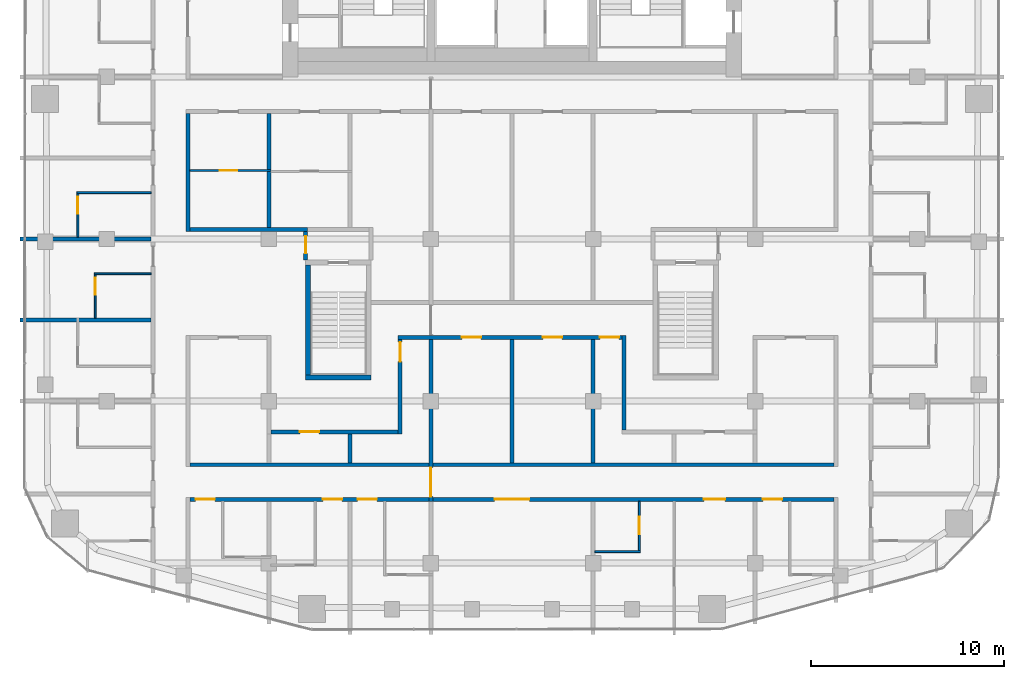
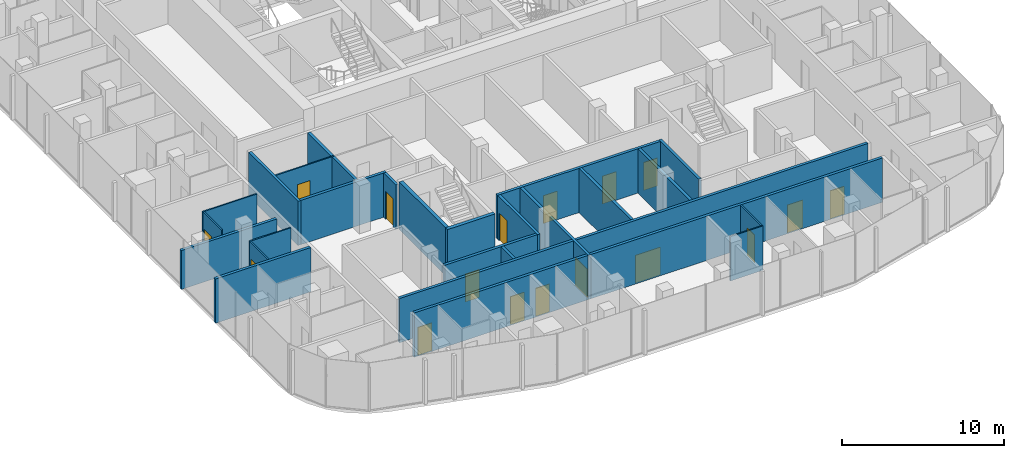
# One storey, part 14 of 22: 25 walls, 17 doors, 17 openings.
"""IFC4 building model written with IfcOpenShell, lengths in metres."""

from ifc_helpers import new_model, si_unit, direction, frame, frame_2d, origin, place, context, subcontext, project, spatial, rectangle, extrude, material, layer, layer_set, type_object, element, fill, save


model = new_model("IFC4")

# Units and contexts
model_context = context("Model", 3, precision=1e-05, world=origin(), true_north=direction((0.0, 1.0)))
body_context = subcontext(model_context, "Body", "Model", "MODEL_VIEW")
ifc_project = project(units=[si_unit("LENGTHUNIT", "METRE"), si_unit("AREAUNIT", "SQUARE_METRE"), si_unit("VOLUMEUNIT", "CUBIC_METRE"), si_unit("PLANEANGLEUNIT", "RADIAN"), si_unit("MASSUNIT", "GRAM", prefix="KILO")], contexts=[model_context])

# Site, building, storey
site_placement = place(None, origin())
site = spatial("IfcSite", under=ifc_project, at=site_placement, CompositionType="ELEMENT")
building_placement = place(site_placement, origin())
building = spatial("IfcBuilding", under=site, at=building_placement, Name="Marenta Gate Hotel Tower", CompositionType="ELEMENT")
storey_placement = place(building_placement, frame((0.0, 0.0, 194.89990234375)))
storey = spatial("IfcBuildingStorey", under=building, at=storey_placement, Name="L44", CompositionType="ELEMENT", Elevation=194.89990234375)

# Wall, opening, door
ifc_material_1 = material(Name="Concrete blockwork", Category="masonry")
ifc_layer_1 = layer(ifc_material_1, 0.199951171875)
ifc_layer_set_1 = layer_set([ifc_layer_1], Name="Concrete blockwork")
wall_type_1 = type_object("IfcWallType", Name="Compartment wall 200 REI 180", PredefinedType="PARTITIONING", material=ifc_layer_set_1)
wall_1_placement = place(storey_placement, frame((-4.199951171875, -22.0, 0.0), z_axis=(0.0, 0.0, 1.0), x_axis=(0.0, 1.0, 0.0)))
wall_1 = element("IfcWall", 1, at=wall_1_placement, inside=storey, type_object=wall_type_1, Name="L44-PTN-W080", PredefinedType="PARTITIONING", context=body_context, shape_type="SweptSolid", body=[
    extrude(rectangle(XDim=8.39990234375, YDim=0.199951171875, at=frame_2d((4.199951171875, 0.0))), origin(), (0.0, 0.0, 1.0), 3.340087890625),
])
opening_1_placement = place(wall_1_placement, frame((0.25, 0.0, 0.0)))
opening_1 = element("IfcOpeningElement", 2, at=opening_1_placement, cuts=wall_1, Name="Opening G15-FD4", PredefinedType="OPENING", context=body_context, shape_type="SweptSolid", body=[
    extrude(rectangle(XDim=1.5, YDim=2.10009765625, at=frame_2d((0.75, 1.050048828125))), frame((0.0, 0.10009765625, 0.0), z_axis=(0.0, -1.0, 0.0), x_axis=(1.0, 0.0, 0.0)), (0.0, 0.0, 1.0), 0.199951171875),
])
ifc_material_2 = material(Name="Hollow steel door set", Category="steel")
door_type_1 = type_object("IfcDoorType", Name="Compartment fire door 1500x2100 EI 60", OperationType="DOUBLE_DOOR_DOUBLE_SWING", PredefinedType="DOOR", material=ifc_material_2)
door_1_placement = place(opening_1_placement, origin())
door_1 = element("IfcDoor", 3, at=door_1_placement, inside=storey, type_object=door_type_1, Name="L44-PD-FD04", OperationType="DOUBLE_DOOR_DOUBLE_SWING", OverallHeight=2.10009765625, OverallWidth=1.5, PredefinedType="DOOR", context=body_context, shape_type="SweptSolid", body=[
    extrude(rectangle(XDim=1.5, YDim=2.10009765625, at=frame_2d((0.75, 1.050048828125))), frame((0.0, 0.02490234375, 0.0), z_axis=(0.0, -1.0, 0.0), x_axis=(1.0, 0.0, 0.0)), (0.0, 0.0, 1.0), 0.050048828125),
])
fill(opening_1, door_1)

# Walls
ifc_material_3 = material(Name="Concrete C40", Category="concrete")
ifc_layer_2 = layer(ifc_material_3, 0.25)
ifc_layer_set_2 = layer_set([ifc_layer_2], Name="Concrete C40")
wall_type_2 = type_object("IfcWallType", Name="Remote stair enclosure wall 250 REI 180", PredefinedType="SHEAR", material=ifc_layer_set_2)
wall_2_placement = place(storey_placement, frame((-10.699951171875, -15.574951171875, 0.10009765625), z_axis=(0.0, 0.0, 1.0), x_axis=(1.0, 0.0, 0.0)))
element("IfcWall", 4, at=wall_2_placement, inside=storey, type_object=wall_type_2, Name="L44-RS-Z3-1-W1", PredefinedType="SHEAR", context=body_context, shape_type="SweptSolid", body=[
    extrude(rectangle(XDim=3.39990234375, YDim=0.25, at=frame_2d((1.699951171875, 0.0))), origin(), (0.0, 0.0, 1.0), 3.60009765625),
])
wall_3_placement = place(storey_placement, frame((-10.574951171875, -15.449951171875, 0.10009765625), z_axis=(0.0, 0.0, 1.0), x_axis=(0.0, 1.0, 0.0)))
element("IfcWall", 5, at=wall_3_placement, inside=storey, type_object=wall_type_2, Name="L44-RS-Z3-1-W3", PredefinedType="SHEAR", context=body_context, shape_type="SweptSolid", body=[
    extrude(rectangle(XDim=5.699951171875, YDim=0.25, at=frame_2d((2.85009765625, 0.0))), origin(), (0.0, 0.0, 1.0), 3.60009765625),
])
ifc_material_4 = material(Name="Concrete blockwork", Category="masonry")
ifc_layer_3 = layer(ifc_material_4, 0.199951171875)
ifc_layer_set_3 = layer_set([ifc_layer_3], Name="Concrete blockwork")
wall_type_3 = type_object("IfcWallType", Name="Room corridor wall 200 EI 120", PredefinedType="PARTITIONING", material=ifc_layer_set_3)
wall_4_placement = place(storey_placement, frame((-16.699951171875, -7.89990234375, 0.0), z_axis=(0.0, 0.0, 1.0), x_axis=(1.0, 0.0, 0.0)))
element("IfcWall", 6, at=wall_4_placement, inside=storey, type_object=wall_type_3, Name="L44-PTN-W053", PredefinedType="PARTITIONING", context=body_context, shape_type="SweptSolid", body=[
    extrude(rectangle(XDim=6.099853515625, YDim=0.199951171875, at=frame_2d((3.0498046875, 0.0))), origin(), (0.0, 0.0, 1.0), 3.340087890625),
])

# Wall, openings, doors
ifc_material_5 = material(Name="Gypsum board on steel stud", Category="steel")
ifc_layer_4 = layer(ifc_material_5, 0.199951171875)
ifc_layer_set_4 = layer_set([ifc_layer_4], Name="Gypsum board on steel stud")
wall_type_4 = type_object("IfcWallType", Name="Room corridor wall 200 EI 60", PredefinedType="PARTITIONING", material=ifc_layer_set_4)
wall_5_placement = place(storey_placement, frame((-16.699951171875, -21.89990234375, 0.0), z_axis=(0.0, 0.0, 1.0), x_axis=(1.0, 0.0, 0.0)))
wall_5 = element("IfcWall", 7, at=wall_5_placement, inside=storey, type_object=wall_type_4, Name="L44-PTN-W013", PredefinedType="PARTITIONING", context=body_context, shape_type="SweptSolid", body=[
    extrude(rectangle(XDim=33.39990234375, YDim=0.199951171875, at=frame_2d((16.699951171875, 0.0))), origin(), (0.0, 0.0, 1.0), 3.340087890625),
])
opening_2_placement = place(wall_5_placement, frame((0.300048828125, 0.0, 0.0)))
opening_2 = element("IfcOpeningElement", 8, at=opening_2_placement, cuts=wall_5, Name="Opening G15-42", PredefinedType="OPENING", context=body_context, shape_type="SweptSolid", body=[
    extrude(rectangle(XDim=1.0, YDim=2.10009765625, at=frame_2d((0.5, 1.050048828125))), frame((0.0, 0.10009765625, 0.0), z_axis=(0.0, -1.0, 0.0), x_axis=(1.0, 0.0, 0.0)), (0.0, 0.0, 1.0), 0.199951171875),
])
opening_3_placement = place(wall_5_placement, frame((6.89990234375, 0.0, 0.0)))
opening_3 = element("IfcOpeningElement", 9, at=opening_3_placement, cuts=wall_5, Name="Opening G15-44", PredefinedType="OPENING", context=body_context, shape_type="SweptSolid", body=[
    extrude(rectangle(XDim=1.0, YDim=2.10009765625, at=frame_2d((0.5, 1.050048828125))), frame((0.0, 0.10009765625, 0.0), z_axis=(0.0, -1.0, 0.0), x_axis=(1.0, 0.0, 0.0)), (0.0, 0.0, 1.0), 0.199951171875),
])
opening_4_placement = place(wall_5_placement, frame((8.699951171875, 0.0, 0.0)))
opening_4 = element("IfcOpeningElement", 10, at=opening_4_placement, cuts=wall_5, Name="Opening G15-46", PredefinedType="OPENING", context=body_context, shape_type="SweptSolid", body=[
    extrude(rectangle(XDim=1.0, YDim=2.10009765625, at=frame_2d((0.5, 1.050048828125))), frame((0.0, 0.10009765625, 0.0), z_axis=(0.0, -1.0, 0.0), x_axis=(1.0, 0.0, 0.0)), (0.0, 0.0, 1.0), 0.199951171875),
])
opening_5_placement = place(wall_5_placement, frame((15.800048828125, 0.0, 0.0)))
opening_5 = element("IfcOpeningElement", 11, at=opening_5_placement, cuts=wall_5, Name="Opening G15-48", PredefinedType="OPENING", context=body_context, shape_type="SweptSolid", body=[
    extrude(rectangle(XDim=1.800048828125, YDim=2.10009765625, at=frame_2d((0.89990234375, 1.050048828125))), frame((0.0, 0.10009765625, 0.0), z_axis=(0.0, -1.0, 0.0), x_axis=(1.0, 0.0, 0.0)), (0.0, 0.0, 1.0), 0.199951171875),
])
opening_6_placement = place(wall_5_placement, frame((26.64990234375, 0.0, 0.0)))
opening_6 = element("IfcOpeningElement", 12, at=opening_6_placement, cuts=wall_5, Name="Opening G15-49", PredefinedType="OPENING", context=body_context, shape_type="SweptSolid", body=[
    extrude(rectangle(XDim=1.10009765625, YDim=2.10009765625, at=frame_2d((0.550048828125, 1.050048828125))), frame((0.0, 0.10009765625, 0.0), z_axis=(0.0, -1.0, 0.0), x_axis=(1.0, 0.0, 0.0)), (0.0, 0.0, 1.0), 0.199951171875),
])
opening_7_placement = place(wall_5_placement, frame((29.699951171875, 0.0, 0.0)))
opening_7 = element("IfcOpeningElement", 13, at=opening_7_placement, cuts=wall_5, Name="Opening G15-52", PredefinedType="OPENING", context=body_context, shape_type="SweptSolid", body=[
    extrude(rectangle(XDim=1.0, YDim=2.10009765625, at=frame_2d((0.5, 1.050048828125))), frame((0.0, 0.10009765625, 0.0), z_axis=(0.0, -1.0, 0.0), x_axis=(1.0, 0.0, 0.0)), (0.0, 0.0, 1.0), 0.199951171875),
])
ifc_material_6 = material(Name="Timber door leaf", Category="wood")
door_type_2 = type_object("IfcDoorType", Name="Guest room door 1000x2100 EI 30", OperationType="NOTDEFINED", PredefinedType="DOOR", material=ifc_material_6)
door_2_placement = place(opening_2_placement, origin())
door_2 = element("IfcDoor", 14, at=door_2_placement, inside=storey, type_object=door_type_2, Name="L44-PD-D042", OperationType="SINGLE_SWING_RIGHT", OverallHeight=2.10009765625, OverallWidth=1.0, PredefinedType="DOOR", context=body_context, shape_type="SweptSolid", body=[
    extrude(rectangle(XDim=1.0, YDim=2.10009765625, at=frame_2d((0.5, 1.050048828125))), frame((0.0, 0.02490234375, 0.0), z_axis=(0.0, -1.0, 0.0), x_axis=(1.0, 0.0, 0.0)), (0.0, 0.0, 1.0), 0.050048828125),
])
fill(opening_2, door_2)
door_3_placement = place(opening_3_placement, origin())
door_3 = element("IfcDoor", 15, at=door_3_placement, inside=storey, type_object=door_type_2, Name="L44-PD-D044", OperationType="SINGLE_SWING_RIGHT", OverallHeight=2.10009765625, OverallWidth=1.0, PredefinedType="DOOR", context=body_context, shape_type="SweptSolid", body=[
    extrude(rectangle(XDim=1.0, YDim=2.10009765625, at=frame_2d((0.5, 1.050048828125))), frame((0.0, 0.02490234375, 0.0), z_axis=(0.0, -1.0, 0.0), x_axis=(1.0, 0.0, 0.0)), (0.0, 0.0, 1.0), 0.050048828125),
])
fill(opening_3, door_3)
door_4_placement = place(opening_4_placement, origin())
door_4 = element("IfcDoor", 16, at=door_4_placement, inside=storey, type_object=door_type_2, Name="L44-PD-D046", OperationType="SINGLE_SWING_RIGHT", OverallHeight=2.10009765625, OverallWidth=1.0, PredefinedType="DOOR", context=body_context, shape_type="SweptSolid", body=[
    extrude(rectangle(XDim=1.0, YDim=2.10009765625, at=frame_2d((0.5, 1.050048828125))), frame((0.0, 0.02490234375, 0.0), z_axis=(0.0, -1.0, 0.0), x_axis=(1.0, 0.0, 0.0)), (0.0, 0.0, 1.0), 0.050048828125),
])
fill(opening_4, door_4)
door_5_placement = place(opening_7_placement, origin())
door_5 = element("IfcDoor", 17, at=door_5_placement, inside=storey, type_object=door_type_2, Name="L44-PD-D052", OperationType="SINGLE_SWING_RIGHT", OverallHeight=2.10009765625, OverallWidth=1.0, PredefinedType="DOOR", context=body_context, shape_type="SweptSolid", body=[
    extrude(rectangle(XDim=1.0, YDim=2.10009765625, at=frame_2d((0.5, 1.050048828125))), frame((0.0, 0.02490234375, 0.0), z_axis=(0.0, -1.0, 0.0), x_axis=(1.0, 0.0, 0.0)), (0.0, 0.0, 1.0), 0.050048828125),
])
fill(opening_7, door_5)
ifc_material_7 = material(Name="Timber door leaf", Category="wood")
door_type_3 = type_object("IfcDoorType", Name="Guest room door 1100x2100 EI 30", OperationType="NOTDEFINED", PredefinedType="DOOR", material=ifc_material_7)
door_6_placement = place(opening_6_placement, origin())
door_6 = element("IfcDoor", 18, at=door_6_placement, inside=storey, type_object=door_type_3, Name="L44-PD-D049", OperationType="SINGLE_SWING_LEFT", OverallHeight=2.10009765625, OverallWidth=1.10009765625, PredefinedType="DOOR", context=body_context, shape_type="SweptSolid", body=[
    extrude(rectangle(XDim=1.10009765625, YDim=2.10009765625, at=frame_2d((0.550048828125, 1.050048828125))), frame((0.0, 0.02490234375, 0.0), z_axis=(0.0, -1.0, 0.0), x_axis=(1.0, 0.0, 0.0)), (0.0, 0.0, 1.0), 0.050048828125),
])
fill(opening_6, door_6)
ifc_material_8 = material(Name="Timber door leaf", Category="wood")
door_type_4 = type_object("IfcDoorType", Name="Room amenity door 1800x2100 EI 30", OperationType="DOUBLE_DOOR_SINGLE_SWING", PredefinedType="DOOR", material=ifc_material_8)
door_7_placement = place(opening_5_placement, origin())
door_7 = element("IfcDoor", 19, at=door_7_placement, inside=storey, type_object=door_type_4, Name="L44-PD-D048", OperationType="DOUBLE_DOOR_SINGLE_SWING", OverallHeight=2.10009765625, OverallWidth=1.800048828125, PredefinedType="DOOR", context=body_context, shape_type="SweptSolid", body=[
    extrude(rectangle(XDim=1.800048828125, YDim=2.10009765625, at=frame_2d((0.89990234375, 1.050048828125))), frame((0.0, 0.02490234375, 0.0), z_axis=(0.0, -1.0, 0.0), x_axis=(1.0, 0.0, 0.0)), (0.0, 0.0, 1.0), 0.050048828125),
])
fill(opening_5, door_7)

# Wall
wall_6_placement = place(storey_placement, frame((-16.699951171875, -20.10009765625, 0.0), z_axis=(0.0, 0.0, 1.0), x_axis=(1.0, 0.0, 0.0)))
element("IfcWall", 20, at=wall_6_placement, inside=storey, type_object=wall_type_4, Name="L44-PTN-W020", PredefinedType="PARTITIONING", context=body_context, shape_type="SweptSolid", body=[
    extrude(rectangle(XDim=33.39990234375, YDim=0.199951171875, at=frame_2d((16.699951171875, 0.0))), origin(), (0.0, 0.0, 1.0), 3.340087890625),
])

# Wall, opening, door
wall_7_placement = place(storey_placement, frame((-12.5, -18.39990234375, 0.0), z_axis=(0.0, 0.0, 1.0), x_axis=(1.0, 0.0, 0.0)))
wall_7 = element("IfcWall", 21, at=wall_7_placement, inside=storey, type_object=wall_type_4, Name="L44-PTN-W024", PredefinedType="PARTITIONING", context=body_context, shape_type="SweptSolid", body=[
    extrude(rectangle(XDim=6.60009765625, YDim=0.199951171875, at=frame_2d((3.300048828125, 0.0))), origin(), (0.0, 0.0, 1.0), 3.340087890625),
])
opening_8_placement = place(wall_7_placement, frame((1.5, 0.0, 0.0)))
opening_8 = element("IfcOpeningElement", 22, at=opening_8_placement, cuts=wall_7, Name="Opening G15-11", PredefinedType="OPENING", context=body_context, shape_type="SweptSolid", body=[
    extrude(rectangle(XDim=1.0, YDim=2.10009765625, at=frame_2d((0.5, 1.050048828125))), frame((0.0, 0.10009765625, 0.0), z_axis=(0.0, -1.0, 0.0), x_axis=(1.0, 0.0, 0.0)), (0.0, 0.0, 1.0), 0.199951171875),
])
ifc_material_9 = material(Name="Timber door leaf", Category="wood")
door_type_5 = type_object("IfcDoorType", Name="Room amenity door 1000x2100 EI 30", OperationType="NOTDEFINED", PredefinedType="DOOR", material=ifc_material_9)
door_8_placement = place(opening_8_placement, origin())
door_8 = element("IfcDoor", 23, at=door_8_placement, inside=storey, type_object=door_type_5, Name="L44-PD-D011", OperationType="SINGLE_SWING_RIGHT", OverallHeight=2.10009765625, OverallWidth=1.0, PredefinedType="DOOR", context=body_context, shape_type="SweptSolid", body=[
    extrude(rectangle(XDim=1.0, YDim=2.10009765625, at=frame_2d((0.5, 1.050048828125))), frame((0.0, 0.02490234375, 0.0), z_axis=(0.0, -1.0, 0.0), x_axis=(1.0, 0.0, 0.0)), (0.0, 0.0, 1.0), 0.050048828125),
])
fill(opening_8, door_8)

# Wall, openings, doors
wall_8_placement = place(storey_placement, frame((-5.89990234375, -13.5, 0.0), z_axis=(0.0, 0.0, 1.0), x_axis=(1.0, 0.0, 0.0)))
wall_8 = element("IfcWall", 24, at=wall_8_placement, inside=storey, type_object=wall_type_4, Name="L44-PTN-W036", PredefinedType="PARTITIONING", context=body_context, shape_type="SweptSolid", body=[
    extrude(rectangle(XDim=11.599853515625, YDim=0.199951171875, at=frame_2d((5.7998046875, 0.0))), origin(), (0.0, 0.0, 1.0), 3.340087890625),
])
opening_9_placement = place(wall_8_placement, frame((3.300048828125, 0.0, 0.0)))
opening_9 = element("IfcOpeningElement", 25, at=opening_9_placement, cuts=wall_8, Name="Opening G15-13", PredefinedType="OPENING", context=body_context, shape_type="SweptSolid", body=[
    extrude(rectangle(XDim=1.0, YDim=2.10009765625, at=frame_2d((0.5, 1.050048828125))), frame((0.0, 0.10009765625, 0.0), z_axis=(0.0, -1.0, 0.0), x_axis=(1.0, 0.0, 0.0)), (0.0, 0.0, 1.0), 0.199951171875),
])
opening_10_placement = place(wall_8_placement, frame((7.5, 0.0, 0.0)))
opening_10 = element("IfcOpeningElement", 26, at=opening_10_placement, cuts=wall_8, Name="Opening G15-14", PredefinedType="OPENING", context=body_context, shape_type="SweptSolid", body=[
    extrude(rectangle(XDim=1.0, YDim=2.10009765625, at=frame_2d((0.5, 1.050048828125))), frame((0.0, 0.10009765625, 0.0), z_axis=(0.0, -1.0, 0.0), x_axis=(1.0, 0.0, 0.0)), (0.0, 0.0, 1.0), 0.199951171875),
])
opening_11_placement = place(wall_8_placement, frame((10.449951171875, 0.0, 0.0)))
opening_11 = element("IfcOpeningElement", 27, at=opening_11_placement, cuts=wall_8, Name="Opening G15-15", PredefinedType="OPENING", context=body_context, shape_type="SweptSolid", body=[
    extrude(rectangle(XDim=1.0, YDim=2.10009765625, at=frame_2d((0.5, 1.050048828125))), frame((0.0, 0.10009765625, 0.0), z_axis=(0.0, -1.0, 0.0), x_axis=(1.0, 0.0, 0.0)), (0.0, 0.0, 1.0), 0.199951171875),
])
door_9_placement = place(opening_9_placement, origin())
door_9 = element("IfcDoor", 28, at=door_9_placement, inside=storey, type_object=door_type_5, Name="L44-PD-D013", OperationType="SINGLE_SWING_LEFT", OverallHeight=2.10009765625, OverallWidth=1.0, PredefinedType="DOOR", context=body_context, shape_type="SweptSolid", body=[
    extrude(rectangle(XDim=1.0, YDim=2.10009765625, at=frame_2d((0.5, 1.050048828125))), frame((0.0, 0.02490234375, 0.0), z_axis=(0.0, -1.0, 0.0), x_axis=(1.0, 0.0, 0.0)), (0.0, 0.0, 1.0), 0.050048828125),
])
fill(opening_9, door_9)
door_10_placement = place(opening_10_placement, origin())
door_10 = element("IfcDoor", 29, at=door_10_placement, inside=storey, type_object=door_type_5, Name="L44-PD-D014", OperationType="SINGLE_SWING_RIGHT", OverallHeight=2.10009765625, OverallWidth=1.0, PredefinedType="DOOR", context=body_context, shape_type="SweptSolid", body=[
    extrude(rectangle(XDim=1.0, YDim=2.10009765625, at=frame_2d((0.5, 1.050048828125))), frame((0.0, 0.02490234375, 0.0), z_axis=(0.0, -1.0, 0.0), x_axis=(1.0, 0.0, 0.0)), (0.0, 0.0, 1.0), 0.050048828125),
])
fill(opening_10, door_10)
door_11_placement = place(opening_11_placement, origin())
door_11 = element("IfcDoor", 30, at=door_11_placement, inside=storey, type_object=door_type_5, Name="L44-PD-D015", OperationType="SINGLE_SWING_LEFT", OverallHeight=2.10009765625, OverallWidth=1.0, PredefinedType="DOOR", context=body_context, shape_type="SweptSolid", body=[
    extrude(rectangle(XDim=1.0, YDim=2.10009765625, at=frame_2d((0.5, 1.050048828125))), frame((0.0, 0.02490234375, 0.0), z_axis=(0.0, -1.0, 0.0), x_axis=(1.0, 0.0, 0.0)), (0.0, 0.0, 1.0), 0.050048828125),
])
fill(opening_11, door_11)

# Wall
wall_9_placement = place(storey_placement, frame((5.800048828125, -18.300048828125, 0.0), z_axis=(0.0, 0.0, 1.0), x_axis=(0.0, 1.0, 0.0)))
element("IfcWall", 31, at=wall_9_placement, inside=storey, type_object=wall_type_4, Name="L44-PTN-W061", PredefinedType="PARTITIONING", context=body_context, shape_type="SweptSolid", body=[
    extrude(rectangle(XDim=4.900146484375, YDim=0.199951171875, at=frame_2d((2.4501953125, 0.0))), origin(), (0.0, 0.0, 1.0), 3.340087890625),
])

# Wall, opening, door
wall_10_placement = place(storey_placement, frame((-5.800048828125, -18.5, 0.0), z_axis=(0.0, 0.0, 1.0), x_axis=(0.0, 1.0, 0.0)))
wall_10 = element("IfcWall", 32, at=wall_10_placement, inside=storey, type_object=wall_type_4, Name="L44-PTN-W085", PredefinedType="PARTITIONING", context=body_context, shape_type="SweptSolid", body=[
    extrude(rectangle(XDim=4.89990234375, YDim=0.199951171875, at=frame_2d((2.449951171875, 0.0))), origin(), (0.0, 0.0, 1.0), 3.340087890625),
])
opening_12_placement = place(wall_10_placement, frame((3.75, 0.0, 0.0)))
opening_12 = element("IfcOpeningElement", 33, at=opening_12_placement, cuts=wall_10, Name="Opening G15-12", PredefinedType="OPENING", context=body_context, shape_type="SweptSolid", body=[
    extrude(rectangle(XDim=1.0, YDim=2.10009765625, at=frame_2d((0.5, 1.050048828125))), frame((0.0, 0.10009765625, 0.0), z_axis=(0.0, -1.0, 0.0), x_axis=(1.0, 0.0, 0.0)), (0.0, 0.0, 1.0), 0.199951171875),
])
door_12_placement = place(opening_12_placement, origin())
door_12 = element("IfcDoor", 34, at=door_12_placement, inside=storey, type_object=door_type_5, Name="L44-PD-D012", OperationType="SINGLE_SWING_RIGHT", OverallHeight=2.10009765625, OverallWidth=1.0, PredefinedType="DOOR", context=body_context, shape_type="SweptSolid", body=[
    extrude(rectangle(XDim=1.0, YDim=2.10009765625, at=frame_2d((0.5, 1.050048828125))), frame((0.0, 0.02490234375, 0.0), z_axis=(0.0, -1.0, 0.0), x_axis=(1.0, 0.0, 0.0)), (0.0, 0.0, 1.0), 0.050048828125),
])
fill(opening_12, door_12)

# Wall
wall_11_placement = place(storey_placement, frame((-16.800048828125, -8.0, 0.0), z_axis=(0.0, 0.0, 1.0), x_axis=(0.0, 1.0, 0.0)))
element("IfcWall", 35, at=wall_11_placement, inside=storey, type_object=wall_type_4, Name="L44-PTN-W108", PredefinedType="PARTITIONING", context=body_context, shape_type="SweptSolid", body=[
    extrude(rectangle(XDim=6.10009765625, YDim=0.199951171875, at=frame_2d((3.050048828125, 0.0))), origin(), (0.0, 0.0, 1.0), 3.340087890625),
])

# Wall, opening, door
ifc_material_10 = material(Name="Concrete blockwork", Category="masonry")
ifc_layer_5 = layer(ifc_material_10, 0.199951171875)
ifc_layer_set_5 = layer_set([ifc_layer_5], Name="Concrete blockwork")
wall_type_5 = type_object("IfcWallType", Name="Room corridor wall 200 REI 180", PredefinedType="PARTITIONING", material=ifc_layer_set_5)
wall_12_placement = place(storey_placement, frame((-10.699951171875, -9.5, 0.0), z_axis=(0.0, 0.0, 1.0), x_axis=(0.0, 1.0, 0.0)))
wall_12 = element("IfcWall", 36, at=wall_12_placement, inside=storey, type_object=wall_type_5, Name="L44-PTN-W096", PredefinedType="PARTITIONING", context=body_context, shape_type="SweptSolid", body=[
    extrude(rectangle(XDim=1.5, YDim=0.199951171875, at=frame_2d((0.75, 0.0))), origin(), (0.0, 0.0, 1.0), 3.340087890625),
])
opening_13_placement = place(wall_12_placement, frame((0.35009765625, 0.0, 0.0)))
opening_13 = element("IfcOpeningElement", 37, at=opening_13_placement, cuts=wall_12, Name="Opening G15-76", PredefinedType="OPENING", context=body_context, shape_type="SweptSolid", body=[
    extrude(rectangle(XDim=0.89990234375, YDim=2.10009765625, at=frame_2d((0.449951171875, 1.050048828125))), frame((0.0, 0.10009765625, 0.0), z_axis=(0.0, -1.0, 0.0), x_axis=(1.0, 0.0, 0.0)), (0.0, 0.0, 1.0), 0.199951171875),
])
ifc_material_11 = material(Name="Hollow steel door set", Category="steel")
door_type_6 = type_object("IfcDoorType", Name="Stair vestibule door 900x2100 EI 60", OperationType="NOTDEFINED", PredefinedType="DOOR", material=ifc_material_11)
door_13_placement = place(opening_13_placement, origin())
door_13 = element("IfcDoor", 38, at=door_13_placement, inside=storey, type_object=door_type_6, Name="L44-PD-D076", OperationType="SINGLE_SWING_LEFT", OverallHeight=2.10009765625, OverallWidth=0.89990234375, PredefinedType="DOOR", context=body_context, shape_type="SweptSolid", body=[
    extrude(rectangle(XDim=0.89990234375, YDim=2.10009765625, at=frame_2d((0.449951171875, 1.050048828125))), frame((0.0, 0.02490234375, 0.0), z_axis=(0.0, -1.0, 0.0), x_axis=(1.0, 0.0, 0.0)), (0.0, 0.0, 1.0), 0.050048828125),
])
fill(opening_13, door_13)

# Walls
ifc_material_12 = material(Name="Gypsum board on steel stud", Category="steel")
ifc_layer_6 = layer(ifc_material_12, 0.10009765625)
ifc_layer_set_6 = layer_set([ifc_layer_6], Name="Gypsum board on steel stud")
wall_type_6 = type_object("IfcWallType", Name="Room partition 100", PredefinedType="PARTITIONING", material=ifc_layer_set_6)
wall_13_placement = place(storey_placement, frame((4.300048828125, -24.60009765625, 0.0), z_axis=(0.0, 0.0, 1.0), x_axis=(1.0, 0.0, 0.0)))
element("IfcWall", 39, at=wall_13_placement, inside=storey, type_object=wall_type_6, Name="L44-PTN-W005", PredefinedType="PARTITIONING", context=body_context, shape_type="SweptSolid", body=[
    extrude(rectangle(XDim=2.349853515625, YDim=0.10009765625, at=frame_2d((1.1748046875, 0.0))), origin(), (0.0, 0.0, 1.0), 3.340087890625),
])
wall_14_placement = place(storey_placement, frame((-21.64990234375, -10.199951171875, 0.0), z_axis=(0.0, 0.0, 1.0), x_axis=(1.0, 0.0, 0.0)))
element("IfcWall", 40, at=wall_14_placement, inside=storey, type_object=wall_type_6, Name="L44-PTN-W047", PredefinedType="PARTITIONING", context=body_context, shape_type="SweptSolid", body=[
    extrude(rectangle(XDim=2.949951171875, YDim=0.10009765625, at=frame_2d((1.47509765625, 0.0))), origin(), (0.0, 0.0, 1.0), 3.340087890625),
])

# Wall, opening, door
wall_15_placement = place(storey_placement, frame((6.60009765625, -24.550048828125, 0.0), z_axis=(0.0, 0.0, 1.0), x_axis=(0.0, 1.0, 0.0)))
wall_15 = element("IfcWall", 41, at=wall_15_placement, inside=storey, type_object=wall_type_6, Name="L44-PTN-W058", PredefinedType="PARTITIONING", context=body_context, shape_type="SweptSolid", body=[
    extrude(rectangle(XDim=2.550048828125, YDim=0.10009765625, at=frame_2d((1.27490234375, 0.0))), origin(), (0.0, 0.0, 1.0), 3.340087890625),
])
opening_14_placement = place(wall_15_placement, frame((0.85009765625, 0.0, 0.0)))
opening_14 = element("IfcOpeningElement", 42, at=opening_14_placement, cuts=wall_15, Name="Opening G15-51", PredefinedType="OPENING", context=body_context, shape_type="SweptSolid", body=[
    extrude(rectangle(XDim=0.89990234375, YDim=2.10009765625, at=frame_2d((0.449951171875, 1.050048828125))), frame((0.0, 0.050048828125, 0.0), z_axis=(0.0, -1.0, 0.0), x_axis=(1.0, 0.0, 0.0)), (0.0, 0.0, 1.0), 0.10009765625),
])
ifc_material_13 = material(Name="Timber door leaf", Category="wood")
door_type_7 = type_object("IfcDoorType", Name="Guest bathroom door 900x2100", OperationType="NOTDEFINED", PredefinedType="DOOR", material=ifc_material_13)
door_14_placement = place(opening_14_placement, origin())
door_14 = element("IfcDoor", 43, at=door_14_placement, inside=storey, type_object=door_type_7, Name="L44-PD-D051", OperationType="SINGLE_SWING_RIGHT", OverallHeight=2.10009765625, OverallWidth=0.89990234375, PredefinedType="DOOR", context=body_context, shape_type="SweptSolid", body=[
    extrude(rectangle(XDim=0.89990234375, YDim=2.10009765625, at=frame_2d((0.449951171875, 1.050048828125))), frame((0.0, 0.02490234375, 0.0), z_axis=(0.0, -1.0, 0.0), x_axis=(1.0, 0.0, 0.0)), (0.0, 0.0, 1.0), 0.050048828125),
])
fill(opening_14, door_14)

# Wall
wall_16_placement = place(storey_placement, frame((-22.550048828125, -6.0, 0.0), z_axis=(0.0, 0.0, 1.0), x_axis=(1.0, 0.0, 0.0)))
element("IfcWall", 44, at=wall_16_placement, inside=storey, type_object=wall_type_6, Name="L44-PTN-W059", PredefinedType="PARTITIONING", context=body_context, shape_type="SweptSolid", body=[
    extrude(rectangle(XDim=3.85009765625, YDim=0.10009765625, at=frame_2d((1.925048828125, 0.0))), origin(), (0.0, 0.0, 1.0), 3.340087890625),
])

# Wall, opening, door
wall_17_placement = place(storey_placement, frame((-16.699951171875, -4.85009765625, 0.0), z_axis=(0.0, 0.0, 1.0), x_axis=(1.0, 0.0, 0.0)))
wall_17 = element("IfcWall", 45, at=wall_17_placement, inside=storey, type_object=wall_type_6, Name="L44-PTN-W063", PredefinedType="PARTITIONING", context=body_context, shape_type="SweptSolid", body=[
    extrude(rectangle(XDim=4.199951171875, YDim=0.10009765625, at=frame_2d((2.10009765625, 0.0))), origin(), (0.0, 0.0, 1.0), 3.340087890625),
])
opening_15_placement = place(wall_17_placement, frame((1.550048828125, 0.0, 0.0)))
opening_15 = element("IfcOpeningElement", 46, at=opening_15_placement, cuts=wall_17, Name="Opening G15-02", PredefinedType="OPENING", context=body_context, shape_type="SweptSolid", body=[
    extrude(rectangle(XDim=0.89990234375, YDim=2.10009765625, at=frame_2d((0.449951171875, 1.050048828125))), frame((0.0, 0.050048828125, 0.0), z_axis=(0.0, -1.0, 0.0), x_axis=(1.0, 0.0, 0.0)), (0.0, 0.0, 1.0), 0.10009765625),
])
ifc_material_14 = material(Name="Timber door leaf", Category="wood")
door_type_8 = type_object("IfcDoorType", Name="Room inner door 900x2100", OperationType="NOTDEFINED", PredefinedType="DOOR", material=ifc_material_14)
door_15_placement = place(opening_15_placement, origin())
door_15 = element("IfcDoor", 47, at=door_15_placement, inside=storey, type_object=door_type_8, Name="L44-PD-D002", OperationType="SINGLE_SWING_RIGHT", OverallHeight=2.10009765625, OverallWidth=0.89990234375, PredefinedType="DOOR", context=body_context, shape_type="SweptSolid", body=[
    extrude(rectangle(XDim=0.89990234375, YDim=2.10009765625, at=frame_2d((0.449951171875, 1.050048828125))), frame((0.0, 0.02490234375, 0.0), z_axis=(0.0, -1.0, 0.0), x_axis=(1.0, 0.0, 0.0)), (0.0, 0.0, 1.0), 0.050048828125),
])
fill(opening_15, door_15)

wall_18_placement = place(storey_placement, frame((-21.60009765625, -12.5, 0.0), z_axis=(0.0, 0.0, 1.0), x_axis=(0.0, 1.0, 0.0)))
wall_18 = element("IfcWall", 48, at=wall_18_placement, inside=storey, type_object=wall_type_6, Name="L44-PTN-W119", PredefinedType="PARTITIONING", context=body_context, shape_type="SweptSolid", body=[
    extrude(rectangle(XDim=2.25, YDim=0.10009765625, at=frame_2d((1.125, 0.0))), origin(), (0.0, 0.0, 1.0), 3.340087890625),
])
opening_16_placement = place(wall_18_placement, frame((1.199951171875, 0.0, 0.0)))
opening_16 = element("IfcOpeningElement", 49, at=opening_16_placement, cuts=wall_18, Name="Opening G15-61", PredefinedType="OPENING", context=body_context, shape_type="SweptSolid", body=[
    extrude(rectangle(XDim=0.89990234375, YDim=2.10009765625, at=frame_2d((0.449951171875, 1.050048828125))), frame((0.0, 0.050048828125, 0.0), z_axis=(0.0, -1.0, 0.0), x_axis=(1.0, 0.0, 0.0)), (0.0, 0.0, 1.0), 0.10009765625),
])
door_16_placement = place(opening_16_placement, origin())
door_16 = element("IfcDoor", 50, at=door_16_placement, inside=storey, type_object=door_type_7, Name="L44-PD-D061", OperationType="SINGLE_SWING_LEFT", OverallHeight=2.10009765625, OverallWidth=0.89990234375, PredefinedType="DOOR", context=body_context, shape_type="SweptSolid", body=[
    extrude(rectangle(XDim=0.89990234375, YDim=2.10009765625, at=frame_2d((0.449951171875, 1.050048828125))), frame((0.0, 0.02490234375, 0.0), z_axis=(0.0, -1.0, 0.0), x_axis=(1.0, 0.0, 0.0)), (0.0, 0.0, 1.0), 0.050048828125),
])
fill(opening_16, door_16)

wall_19_placement = place(storey_placement, frame((-22.5, -8.300048828125, 0.0), z_axis=(0.0, 0.0, 1.0), x_axis=(0.0, 1.0, 0.0)))
wall_19 = element("IfcWall", 51, at=wall_19_placement, inside=storey, type_object=wall_type_6, Name="L44-PTN-W125", PredefinedType="PARTITIONING", context=body_context, shape_type="SweptSolid", body=[
    extrude(rectangle(XDim=2.25, YDim=0.10009765625, at=frame_2d((1.125, 0.0))), origin(), (0.0, 0.0, 1.0), 3.340087890625),
])
opening_17_placement = place(wall_19_placement, frame((1.199951171875, 0.0, 0.0)))
opening_17 = element("IfcOpeningElement", 52, at=opening_17_placement, cuts=wall_19, Name="Opening G15-63", PredefinedType="OPENING", context=body_context, shape_type="SweptSolid", body=[
    extrude(rectangle(XDim=0.89990234375, YDim=2.10009765625, at=frame_2d((0.449951171875, 1.050048828125))), frame((0.0, 0.050048828125, 0.0), z_axis=(0.0, -1.0, 0.0), x_axis=(1.0, 0.0, 0.0)), (0.0, 0.0, 1.0), 0.10009765625),
])
door_17_placement = place(opening_17_placement, origin())
door_17 = element("IfcDoor", 53, at=door_17_placement, inside=storey, type_object=door_type_7, Name="L44-PD-D063", OperationType="SINGLE_SWING_LEFT", OverallHeight=2.10009765625, OverallWidth=0.89990234375, PredefinedType="DOOR", context=body_context, shape_type="SweptSolid", body=[
    extrude(rectangle(XDim=0.89990234375, YDim=2.10009765625, at=frame_2d((0.449951171875, 1.050048828125))), frame((0.0, 0.02490234375, 0.0), z_axis=(0.0, -1.0, 0.0), x_axis=(1.0, 0.0, 0.0)), (0.0, 0.0, 1.0), 0.050048828125),
])
fill(opening_17, door_17)

# Walls
ifc_material_15 = material(Name="Concrete blockwork", Category="masonry")
ifc_layer_7 = layer(ifc_material_15, 0.199951171875)
ifc_layer_set_7 = layer_set([ifc_layer_7], Name="Concrete blockwork")
wall_type_7 = type_object("IfcWallType", Name="Room party wall 200 EI 120", PredefinedType="PARTITIONING", material=ifc_layer_set_7)
wall_20_placement = place(storey_placement, frame((-12.60009765625, -7.800048828125, 0.0), z_axis=(0.0, 0.0, 1.0), x_axis=(0.0, 1.0, 0.0)))
element("IfcWall", 54, at=wall_20_placement, inside=storey, type_object=wall_type_7, Name="L44-PTN-W100", PredefinedType="PARTITIONING", context=body_context, shape_type="SweptSolid", body=[
    extrude(rectangle(XDim=5.900146484375, YDim=0.199951171875, at=frame_2d((2.9501953125, 0.0))), origin(), (0.0, 0.0, 1.0), 3.340087890625),
])
ifc_material_16 = material(Name="Gypsum board on steel stud", Category="steel")
ifc_layer_8 = layer(ifc_material_16, 0.199951171875)
ifc_layer_set_8 = layer_set([ifc_layer_8], Name="Gypsum board on steel stud")
wall_type_8 = type_object("IfcWallType", Name="Room party wall 200 EI 60", PredefinedType="PARTITIONING", material=ifc_layer_set_8)
wall_21_placement = place(storey_placement, frame((-25.5, -12.60009765625, 0.0), z_axis=(0.0, 0.0, 1.0), x_axis=(1.0, 0.0, 0.0)))
element("IfcWall", 55, at=wall_21_placement, inside=storey, type_object=wall_type_8, Name="L44-PTN-W043", PredefinedType="PARTITIONING", context=body_context, shape_type="SweptSolid", body=[
    extrude(rectangle(XDim=6.800048828125, YDim=0.199951171875, at=frame_2d((3.39990234375, 0.0))), origin(), (0.0, 0.0, 1.0), 3.340087890625),
])
wall_22_placement = place(storey_placement, frame((-25.5, -8.39990234375, 0.0), z_axis=(0.0, 0.0, 1.0), x_axis=(1.0, 0.0, 0.0)))
element("IfcWall", 56, at=wall_22_placement, inside=storey, type_object=wall_type_8, Name="L44-PTN-W051", PredefinedType="PARTITIONING", context=body_context, shape_type="SweptSolid", body=[
    extrude(rectangle(XDim=6.800048828125, YDim=0.199951171875, at=frame_2d((3.39990234375, 0.0))), origin(), (0.0, 0.0, 1.0), 2.940185546875),
])
for number, where, z_axis, x_axis, name in (
    (57, (4.199951171875, -20.0, 0.0), (0.0, 0.0, 1.0), (0.0, 1.0, 0.0), "L44-PTN-W065"),
    (58, (0.0, -20.0, 0.0), (0.0, 0.0, 1.0), (0.0, 1.0, 0.0), "L44-PTN-W073"),
):
    element("IfcWall", number, at=place(storey_placement, frame(where, z_axis=z_axis, x_axis=x_axis)), inside=storey, type_object=wall_type_8, Name=name, PredefinedType="PARTITIONING", context=body_context, shape_type="SweptSolid", body=[
        extrude(rectangle(XDim=6.39990234375, YDim=0.199951171875, at=frame_2d((3.199951171875, 0.0))), origin(), (0.0, 0.0, 1.0), 3.340087890625),
    ])
wall_23_placement = place(storey_placement, frame((-8.39990234375, -20.0, 0.0), z_axis=(0.0, 0.0, 1.0), x_axis=(0.0, 1.0, 0.0)))
element("IfcWall", 59, at=wall_23_placement, inside=storey, type_object=wall_type_8, Name="L44-PTN-W091", PredefinedType="PARTITIONING", context=body_context, shape_type="SweptSolid", body=[
    extrude(rectangle(XDim=1.5, YDim=0.199951171875, at=frame_2d((0.75, 0.0))), origin(), (0.0, 0.0, 1.0), 3.340087890625),
])

save(model, "model.ifc")
